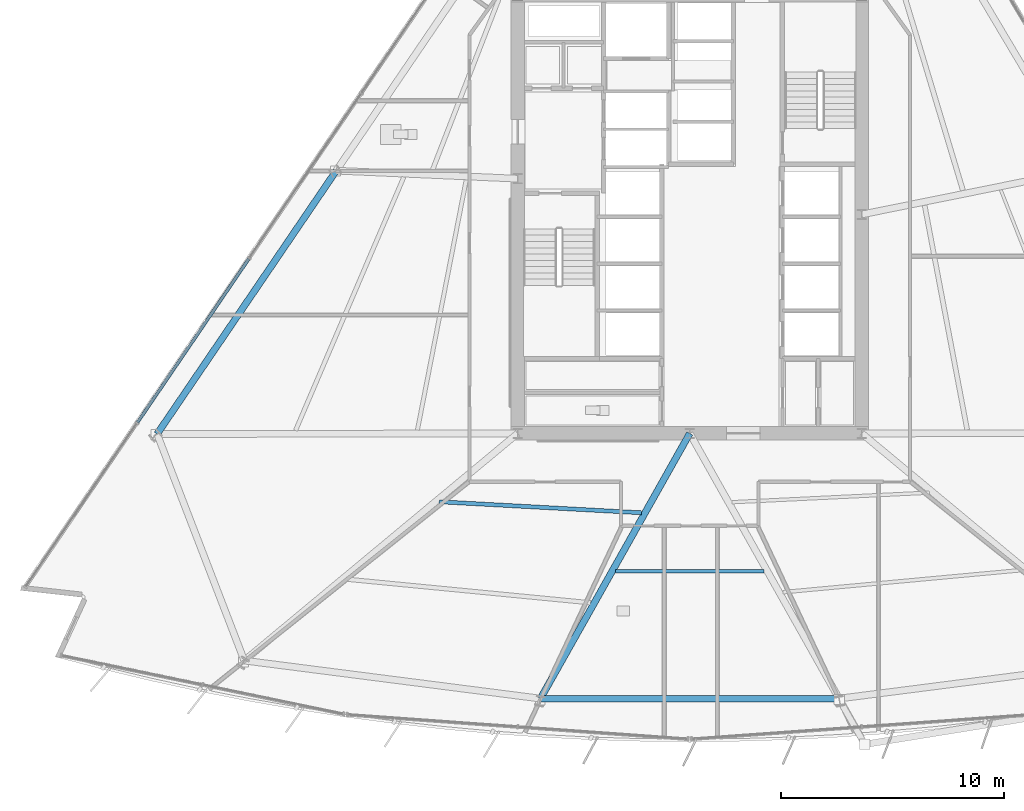
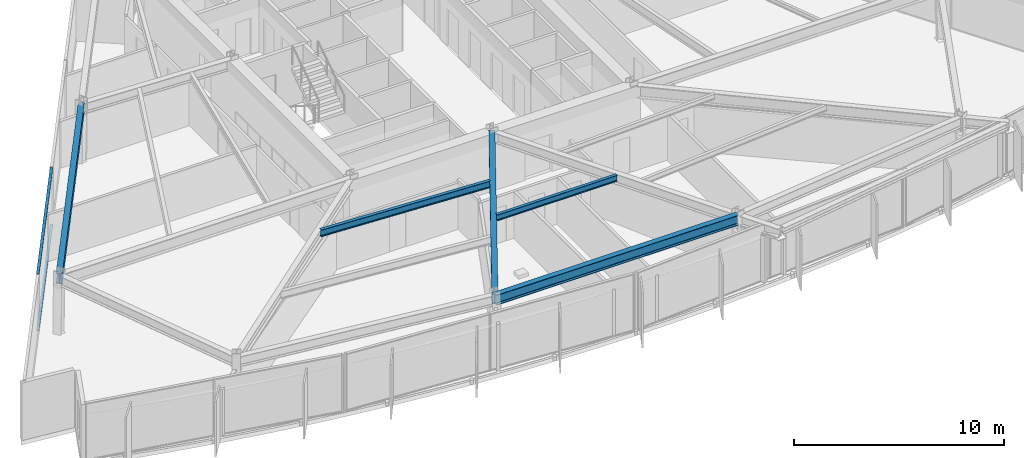
# One storey, part 3 of 18: 5 beams, 2 members, 1 element without a shape of its own.
"""IFC4 building model written with IfcOpenShell, lengths in metres."""

from ifc_helpers import new_model, si_unit, direction, frame, origin, origin_2d, place, context, subcontext, project, spatial, rectangle, i_section, extrude, material, material_profile, profile_set, type_object, element, aggregate, save


model = new_model("IFC4")

# Units and contexts
model_context = context("Model", 3, precision=1e-05, world=origin(), true_north=direction((0.0, 1.0)))
body_context = subcontext(model_context, "Body", "Model", "MODEL_VIEW")
ifc_project = project(units=[si_unit("LENGTHUNIT", "METRE"), si_unit("AREAUNIT", "SQUARE_METRE"), si_unit("VOLUMEUNIT", "CUBIC_METRE"), si_unit("PLANEANGLEUNIT", "RADIAN"), si_unit("MASSUNIT", "GRAM", prefix="KILO")], contexts=[model_context])

# Site, building, storey
site_placement = place(None, origin())
site = spatial("IfcSite", under=ifc_project, at=site_placement, CompositionType="ELEMENT")
building_placement = place(site_placement, origin())
building = spatial("IfcBuilding", under=site, at=building_placement, Name="Savorim Split Tower", CompositionType="ELEMENT")
storey_placement = place(building_placement, frame((0.0, 0.0, 44.39990234375)))
storey = spatial("IfcBuildingStorey", under=building, at=storey_placement, Name="L11", CompositionType="ELEMENT", Elevation=44.39990234375)

# Beams
ifc_material_1 = material(Name="Steel S355", Category="steel")
ifc_material_profile_1 = material_profile(ifc_material_1, i_section(OverallWidth=0.169921875, OverallDepth=0.360107421875, WebThickness=0.008056640625, FlangeThickness=0.0126953125, FilletRadius=0.01806640625, at=origin_2d()), Name="IPE 360")
ifc_profile_set_1 = profile_set([ifc_material_profile_1], Name="Steel S355")
beam_type_1 = type_object("IfcBeamType", Name="BM-JST-IPE360", PredefinedType="JOIST", material=ifc_profile_set_1)
beam_1_placement = place(storey_placement, frame((-3.314697265625, -15.571533203125, 3.170166015625), z_axis=(1.0, 0.0, 0.0), x_axis=(0.0, 1.0, 0.0)))
element("IfcBeam", 1, at=beam_1_placement, inside=storey, type_object=beam_type_1, Name="L11 Secondary Floor Joist JS-03", PredefinedType="JOIST", context=body_context, shape_type="SweptSolid", body=[
    extrude(i_section(OverallWidth=0.169921875, OverallDepth=0.360107421875, WebThickness=0.008056640625, FlangeThickness=0.0126953125, FilletRadius=0.01806640625, at=origin_2d()), origin(), (0.0, 0.0, 1.0), 6.62939453125),
])
ifc_material_profile_2 = material_profile(ifc_material_1, i_section(OverallWidth=0.179931640625, OverallDepth=0.39990234375, WebThickness=0.008544921875, FlangeThickness=0.013427734375, FilletRadius=0.02099609375, at=origin_2d()), Name="IPE 400")
ifc_profile_set_2 = profile_set([ifc_material_profile_2], Name="Steel S355")
beam_type_2 = type_object("IfcBeamType", Name="BM-JST-IPE400", PredefinedType="JOIST", material=ifc_profile_set_2)
beam_2_placement = place(storey_placement, frame((-11.21142578125, -12.458740234375, 3.150146484375), z_axis=(0.998517519185, -0.054431276683, 0.0), x_axis=(0.054431276683, 0.998517519185, 0.0)))
element("IfcBeam", 2, at=beam_2_placement, inside=storey, type_object=beam_type_2, Name="L11 Secondary Floor Joist JS-02", PredefinedType="JOIST", context=body_context, shape_type="SweptSolid", body=[
    extrude(i_section(OverallWidth=0.179931640625, OverallDepth=0.39990234375, WebThickness=0.008544921875, FlangeThickness=0.013427734375, FilletRadius=0.02099609375, at=origin_2d()), origin(), (0.0, 0.0, 1.0), 9.060302734375),
])
ifc_material_profile_3 = material_profile(ifc_material_1, i_section(OverallWidth=0.300048828125, OverallDepth=0.60009765625, WebThickness=0.015380859375, FlangeThickness=0.030029296875, FilletRadius=0.027099609375, at=origin_2d()), Name="HEB 600")
ifc_profile_set_3 = profile_set([ifc_material_profile_3], Name="Steel S355")
beam_type_3 = type_object("IfcBeamType", Name="BM-PRI-HEB600", PredefinedType="BEAM", material=ifc_profile_set_3)
beam_3_placement = place(storey_placement, frame((-6.68212890625, -21.268310546875, 3.050048828125), z_axis=(0.490604168067, 0.87138255105, 0.0), x_axis=(-0.87138255105, 0.490604168067, 0.0)))
element("IfcBeam", 3, at=beam_3_placement, inside=storey, type_object=beam_type_3, Name="L11 Primary Floor Girder RG-02", PredefinedType="BEAM", context=body_context, shape_type="SweptSolid", body=[
    extrude(i_section(OverallWidth=0.300048828125, OverallDepth=0.60009765625, WebThickness=0.015380859375, FlangeThickness=0.030029296875, FilletRadius=0.027099609375, at=origin_2d()), origin(), (0.0, 0.0, 1.0), 13.6201171875),
])
ifc_material_profile_4 = material_profile(ifc_material_1, i_section(OverallWidth=0.300048828125, OverallDepth=0.590087890625, WebThickness=0.012939453125, FlangeThickness=0.02490234375, FilletRadius=0.027099609375, at=origin_2d()), Name="HEA 600")
ifc_profile_set_4 = profile_set([ifc_material_profile_4], Name="Steel S355")
beam_type_4 = type_object("IfcBeamType", Name="BM-SPN-HEA600", PredefinedType="SPANDREL", material=ifc_profile_set_4)
beam_4_placement = place(storey_placement, frame((-6.68212890625, -21.268310546875, 3.05517578125), z_axis=(1.0, 0.0, 0.0), x_axis=(0.0, 1.0, 0.0)))
element("IfcBeam", 4, at=beam_4_placement, inside=storey, type_object=beam_type_4, Name="L11 Perimeter Spandrel Beam 2", PredefinedType="SPANDREL", context=body_context, shape_type="SweptSolid", body=[
    extrude(i_section(OverallWidth=0.300048828125, OverallDepth=0.590087890625, WebThickness=0.012939453125, FlangeThickness=0.02490234375, FilletRadius=0.027099609375, at=origin_2d()), origin(), (0.0, 0.0, 1.0), 13.3642578125),
])
beam_5_placement = place(storey_placement, frame((-15.8203125, 2.360107421875, 3.05517578125), z_axis=(-0.562461787637, -0.826823280664, 0.0), x_axis=(0.826823280664, -0.562461787637, 0.0)))
element("IfcBeam", 5, at=beam_5_placement, inside=storey, type_object=beam_type_4, Name="L11 Perimeter Spandrel Beam 9", PredefinedType="SPANDREL", context=body_context, shape_type="SweptSolid", body=[
    extrude(i_section(OverallWidth=0.300048828125, OverallDepth=0.590087890625, WebThickness=0.012939453125, FlangeThickness=0.02490234375, FilletRadius=0.027099609375, at=origin_2d()), origin(), (0.0, 0.0, 1.0), 14.25537109375),
])

# Curtain wall, members
ifc_material_2 = material(Name="Dark Ceramic-Fritted Insulated Glass", Category="glass")
curtain_wall_type = type_object("IfcCurtainWallType", Name="CW-TWR-FRIT-A", PredefinedType="NOTDEFINED", material=ifc_material_2)
curtain_wall_placement = place(storey_placement, origin())
curtain_wall = element("IfcCurtainWall", 6, at=curtain_wall_placement, inside=storey, type_object=curtain_wall_type, Name="L11 Curtain Wall CW-L11-WEST", PredefinedType="NOTDEFINED")
ifc_material_3 = material(Name="Charcoal Anodised Aluminium", Category="aluminium")
ifc_material_profile_5 = material_profile(ifc_material_3, rectangle(XDim=0.139892578125, YDim=0.054931640625, at=origin_2d()), Name="ALU-T 140x55")
ifc_profile_set_5 = profile_set([ifc_material_profile_5], Name="Charcoal Anodised Aluminium")
member_type = type_object("IfcMemberType", Name="CWT-140x55", PredefinedType="USERDEFINED", material=ifc_profile_set_5)
member_1_placement = place(storey_placement, frame((-19.736328125, -1.5859375, 0.027587890625), z_axis=(-0.562463858464, -0.826821871942, 0.0), x_axis=(0.826821871942, -0.562463858464, 0.0)))
member_1 = element("IfcMember", 7, at=member_1_placement, type_object=member_type, Name="CW-02 transom 3.1", ObjectType="TRANSOM", PredefinedType="USERDEFINED", context=body_context, shape_type="SweptSolid", body=[
    extrude(rectangle(XDim=0.139892578125, YDim=0.054931640625, at=origin_2d()), origin(), (0.0, 0.0, 1.0), 8.854736328125),
])
member_2_placement = place(storey_placement, frame((-19.736328125, -1.5859375, 3.322509765625), z_axis=(-0.562463858464, -0.826821871942, 0.0), x_axis=(0.826821871942, -0.562463858464, 0.0)))
member_2 = element("IfcMember", 8, at=member_2_placement, type_object=member_type, Name="CW-02 transom 3.2", ObjectType="TRANSOM", PredefinedType="USERDEFINED", context=body_context, shape_type="SweptSolid", body=[
    extrude(rectangle(XDim=0.139892578125, YDim=0.054931640625, at=origin_2d()), origin(), (0.0, 0.0, 1.0), 8.854736328125),
])
aggregate(curtain_wall, [member_1, member_2])

save(model, "model.ifc")
